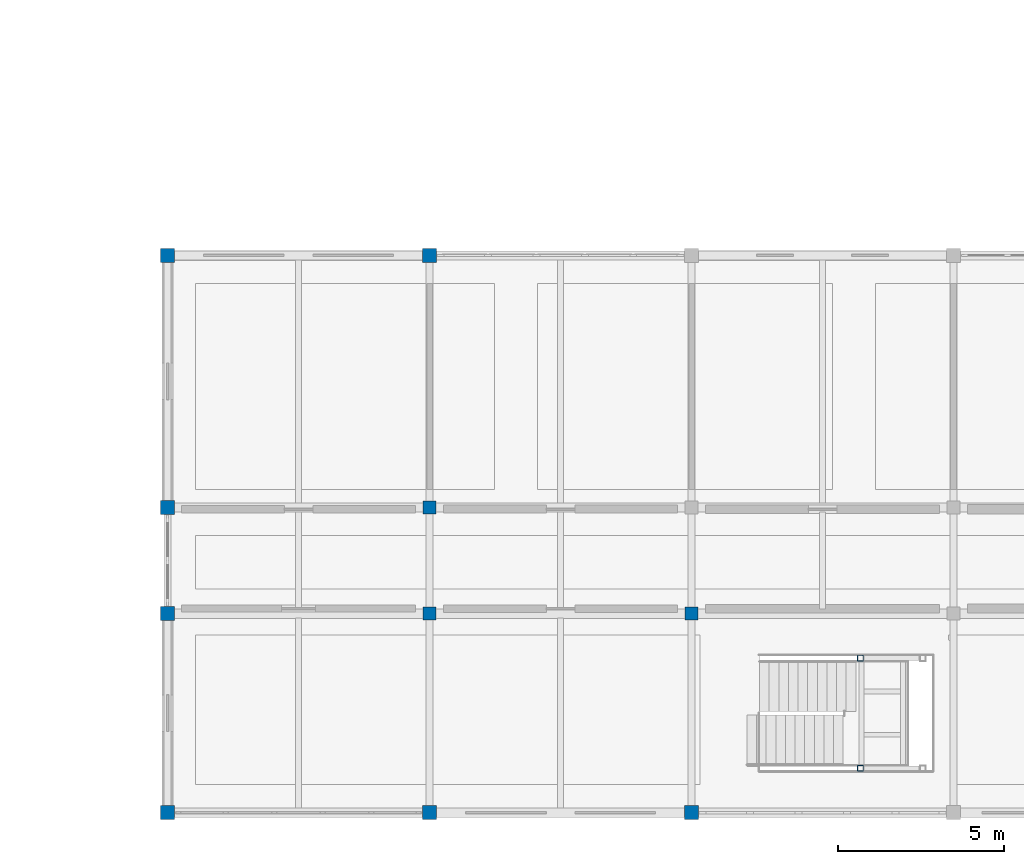
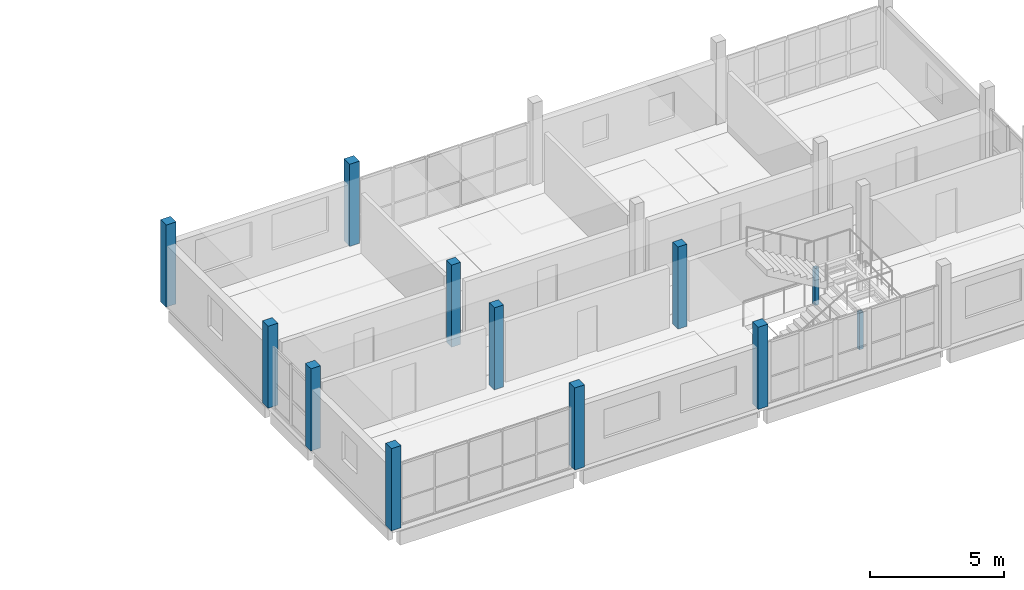
# One storey, part 1 of 77: 12 columns.
"""IFC4 building model written with IfcOpenShell, lengths in metres."""

from ifc_helpers import new_model, si_unit, direction, frame, origin, origin_2d, place, context, subcontext, project, spatial, rectangle, hollow_rectangle, extrude, material, material_profile, profile_set, type_object, element, save


model = new_model("IFC4")

# Units and contexts
model_context = context("Model", 3, precision=1e-05, world=origin(), true_north=direction((0.0, 1.0)))
body_context = subcontext(model_context, "Body", "Model", "MODEL_VIEW")
ifc_project = project(units=[si_unit("LENGTHUNIT", "METRE"), si_unit("AREAUNIT", "SQUARE_METRE"), si_unit("VOLUMEUNIT", "CUBIC_METRE"), si_unit("PLANEANGLEUNIT", "RADIAN"), si_unit("MASSUNIT", "GRAM", prefix="KILO")], contexts=[model_context])

# Site, building, storey
site_placement = place(None, origin())
site = spatial("IfcSite", under=ifc_project, at=site_placement, CompositionType="ELEMENT")
building_placement = place(site_placement, origin())
building = spatial("IfcBuilding", under=site, at=building_placement, Name="Caldaven Crescent School", CompositionType="ELEMENT")
storey_placement = place(building_placement, frame((0.0, 0.0, 4.419921875)))
storey = spatial("IfcBuildingStorey", under=building, at=storey_placement, Name="L01", CompositionType="ELEMENT", Elevation=4.419921875)

# Columns
ifc_material_1 = material(Name="Glulam MLE24h (GL28h)", Category="wood")
ifc_material_profile_1 = material_profile(ifc_material_1, rectangle(XDim=0.389892578125, YDim=0.389892578125, at=origin_2d()), Name="MLE 390x390")
ifc_profile_set_1 = profile_set([ifc_material_profile_1], Name="Glulam MLE24h (GL28h)")
column_type_1 = type_object("IfcColumnType", Name="COL-GL39", PredefinedType="COLUMN", material=ifc_profile_set_1)
for number, where, z_axis, x_axis, name in (
    (1, (33.39990234375, 10.199951171875, 0.0), (0.0, 0.0, 1.0), (1.0, 0.0, 0.0), "COL-V4S-L01-1-1"),
    (2, (33.39990234375, 13.39990234375, 0.0), (0.0, 0.0, 1.0), (1.0, 0.0, 0.0), "COL-V4S-L01-1-2"),
    (3, (41.300048828125, 10.199951171875, 0.0), (0.0, 0.0, 1.0), (1.0, 0.0, 0.0), "COL-V4S-L01-2-1"),
):
    element("IfcColumn", number, at=place(storey_placement, frame(where, z_axis=z_axis, x_axis=x_axis)), inside=storey, type_object=column_type_1, Name=name, PredefinedType="COLUMN", context=body_context, shape_type="SweptSolid", body=[
        extrude(rectangle(XDim=0.389892578125, YDim=0.389892578125, at=origin_2d()), origin(), (0.0, 0.0, 1.0), 3.739990234375),
    ])
ifc_material_profile_2 = material_profile(ifc_material_1, rectangle(XDim=0.419921875, YDim=0.419921875, at=origin_2d()), Name="MLE 420x420")
ifc_profile_set_2 = profile_set([ifc_material_profile_2], Name="Glulam MLE24h (GL28h)")
column_type_2 = type_object("IfcColumnType", Name="COL-GL42", PredefinedType="COLUMN", material=ifc_profile_set_2)
for number, where, z_axis, x_axis, name in (
    (4, (25.5, 4.199951171875, 0.0), (0.0, 0.0, 1.0), (1.0, 0.0, 0.0), "COL-V4S-L01-0-0"),
    (5, (25.5, 10.199951171875, 0.0), (0.0, 0.0, 1.0), (1.0, 0.0, 0.0), "COL-V4S-L01-0-1"),
    (6, (25.5, 13.39990234375, 0.0), (0.0, 0.0, 1.0), (1.0, 0.0, 0.0), "COL-V4S-L01-0-2"),
    (7, (25.5, 21.0, 0.0), (0.0, 0.0, 1.0), (1.0, 0.0, 0.0), "COL-V4S-L01-0-3"),
    (8, (33.39990234375, 4.199951171875, 0.0), (0.0, 0.0, 1.0), (1.0, 0.0, 0.0), "COL-V4S-L01-1-0"),
    (9, (33.39990234375, 21.0, 0.0), (0.0, 0.0, 1.0), (1.0, 0.0, 0.0), "COL-V4S-L01-1-3"),
    (10, (41.300048828125, 4.199951171875, 0.0), (0.0, 0.0, 1.0), (1.0, 0.0, 0.0), "COL-V4S-L01-2-0"),
):
    element("IfcColumn", number, at=place(storey_placement, frame(where, z_axis=z_axis, x_axis=x_axis)), inside=storey, type_object=column_type_2, Name=name, PredefinedType="COLUMN", context=body_context, shape_type="SweptSolid", body=[
        extrude(rectangle(XDim=0.419921875, YDim=0.419921875, at=origin_2d()), origin(), (0.0, 0.0, 1.0), 3.739990234375),
    ])
ifc_material_2 = material(Name="Steel ASTM A572 Grade 50", Category="steel")
ifc_material_profile_3 = material_profile(ifc_material_2, hollow_rectangle(XDim=0.179931640625, YDim=0.179931640625, WallThickness=0.010009765625, InnerFilletRadius=0.010009765625, OuterFilletRadius=0.02001953125, at=origin_2d()), Name="HSS 180x180x10")
ifc_profile_set_3 = profile_set([ifc_material_profile_3], Name="Steel ASTM A572 Grade 50")
column_type_3 = type_object("IfcColumnType", Name="COL-HS18", PredefinedType="COLUMN", material=ifc_profile_set_3)
for number, where, z_axis, x_axis, name in (
    (11, (46.389892578125, 5.5400390625, 0.0), (0.0, 0.0, 1.0), (1.0, 0.0, 0.0), "COL-STPOST-STV4S-L01-A"),
    (12, (46.389892578125, 8.860107421875, 0.0), (0.0, 0.0, 1.0), (1.0, 0.0, 0.0), "COL-STPOST-STV4S-L01-B"),
):
    element("IfcColumn", number, at=place(storey_placement, frame(where, z_axis=z_axis, x_axis=x_axis)), inside=storey, type_object=column_type_3, Name=name, PredefinedType="COLUMN", context=body_context, shape_type="SweptSolid", body=[
        extrude(hollow_rectangle(XDim=0.179931640625, YDim=0.179931640625, WallThickness=0.010009765625, InnerFilletRadius=0.010009765625, OuterFilletRadius=0.02001953125, at=origin_2d()), origin(), (0.0, 0.0, 1.0), 1.675048828125),
    ])

save(model, "model.ifc")
